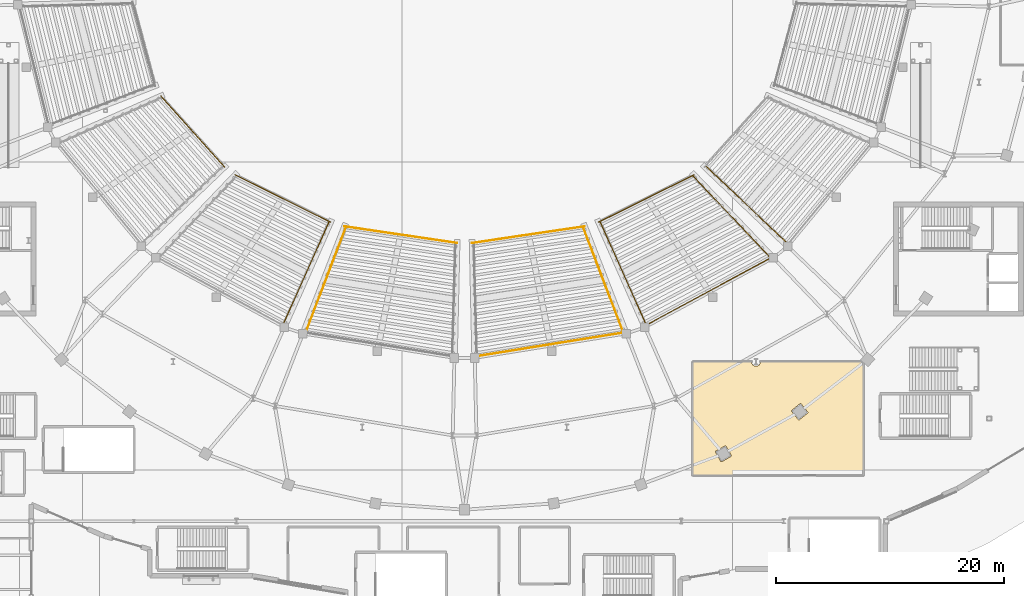
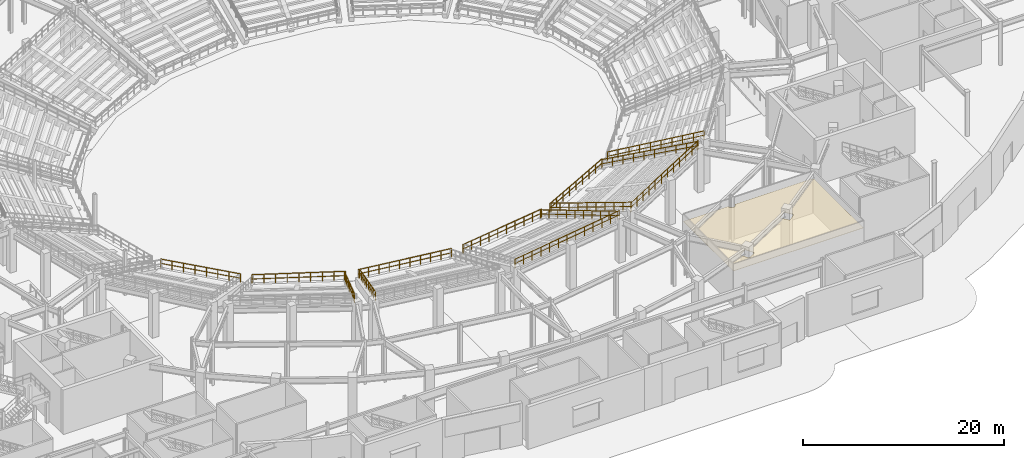
# One storey, part 73 of 79: 13 railings, 1 covering.
"""IFC4 building model written with IfcOpenShell, lengths in metres."""

from ifc_helpers import new_model, si_unit, direction, frame, origin, origin_2d, place, context, subcontext, project, spatial, polyline, circle, outline, extrude, material, layer, layer_set, type_object, element, save


model = new_model("IFC4")

# Units and contexts
model_context = context("Model", 3, precision=1e-05, world=origin(), true_north=direction((0.0, 1.0)))
body_context = subcontext(model_context, "Body", "Model", "MODEL_VIEW")
ifc_project = project(units=[si_unit("LENGTHUNIT", "METRE"), si_unit("AREAUNIT", "SQUARE_METRE"), si_unit("VOLUMEUNIT", "CUBIC_METRE"), si_unit("PLANEANGLEUNIT", "RADIAN"), si_unit("MASSUNIT", "GRAM", prefix="KILO")], contexts=[model_context])

# Site, building, storey
site_placement = place(None, origin())
site = spatial("IfcSite", under=ifc_project, at=site_placement, CompositionType="ELEMENT")
building_placement = place(site_placement, origin())
building = spatial("IfcBuilding", under=site, at=building_placement, Name="Glasvene Arena", CompositionType="ELEMENT")
storey_placement = place(building_placement, origin())
storey = spatial("IfcBuildingStorey", under=building, at=storey_placement, Name="L00", CompositionType="ELEMENT", Elevation=0.0)

# Covering
ifc_material_1 = material(Name="Perforated acoustic mineral ceiling tile")
ifc_layer = layer(ifc_material_1, 0.0400390625)
ifc_layer_set = layer_set([ifc_layer], Name="Perforated acoustic mineral ceiling tile")
covering_type = type_object("IfcCoveringType", Name="COV-CEIL-AC", PredefinedType="CEILING", material=ifc_layer_set)
covering_placement = place(storey_placement, frame((118.16357421875, 40.053466796875, 4.179931640625)))
element("IfcCovering", 1, at=covering_placement, inside=storey, type_object=covering_type, Name="Acoustic suspended ceiling Match Officials Desk and Briefing", PredefinedType="CEILING", context=body_context, shape_type="SweptSolid", body=[
    extrude(outline(polyline([(-1.0068359375, 0.926513671875), (-0.9814453125, 0.796875), (-0.97705078125, 0.78173828125), (-0.969482421875, 0.76806640625), (-0.900146484375, 0.664306640625), (-0.89013671875, 0.652099609375), (-0.878173828125, 0.64208984375), (-0.774169921875, 0.57275390625), (-0.760498046875, 0.5654296875), (-0.745361328125, 0.560791015625), (-0.623046875, 0.536376953125), (-0.607421875, 0.534912109375), (-0.591796875, 0.536376953125), (-0.46923828125, 0.560791015625), (-0.454345703125, 0.5654296875), (-0.4404296875, 0.57275390625), (-0.336669921875, 0.64208984375), (-0.324462890625, 0.652099609375), (-0.314453125, 0.664306640625), (-0.2451171875, 0.76806640625), (-0.23779296875, 0.78173828125), (-0.233154296875, 0.796875), (-0.208984375, 0.91943359375), (8.621826171875, 0.926513671875), (8.81640625, 0.75146484375), (8.81640625, -9.033447265625), (-6.1435546875, -9.033447265625), (-6.1435546875, 0.926513671875), (-1.0068359375, 0.926513671875)]), holes=[polyline([(-4.1572265625, -6.972900390625), (-4.15673828125, -6.98876953125), (-4.1533203125, -7.00390625), (-4.14697265625, -7.018310546875), (-3.70361328125, -7.801513671875), (-3.694580078125, -7.814453125), (-3.68310546875, -7.8251953125), (-3.669921875, -7.83349609375), (-3.6552734375, -7.839111328125), (-3.639892578125, -7.841796875), (-3.624267578125, -7.841552734375), (-3.60888671875, -7.838134765625), (-3.594482421875, -7.831787109375), (-2.811279296875, -7.38818359375), (-2.798583984375, -7.379150390625), (-2.78759765625, -7.367919921875), (-2.779296875, -7.3544921875), (-2.773681640625, -7.340087890625), (-2.77099609375, -7.324462890625), (-2.771484375, -7.308837890625), (-2.774658203125, -7.29345703125), (-2.78125, -7.279052734375), (-3.224609375, -6.49609375), (-3.233642578125, -6.483154296875), (-3.244873046875, -6.472412109375), (-3.25830078125, -6.4638671875), (-3.27294921875, -6.458251953125), (-3.288330078125, -6.45556640625), (-3.303955078125, -6.4560546875), (-3.3193359375, -6.45947265625), (-3.333740234375, -6.4658203125), (-4.11669921875, -6.9091796875), (-4.129638671875, -6.91845703125), (-4.140380859375, -6.9296875), (-4.14892578125, -6.94287109375), (-4.154541015625, -6.95751953125), (-4.1572265625, -6.972900390625)]), polyline([(2.51318359375, -3.39892578125), (2.51611328125, -3.414306640625), (2.52197265625, -3.428955078125), (2.530517578125, -3.44189453125), (3.095947265625, -4.142333984375), (3.10693359375, -4.153564453125), (3.119873046875, -4.162353515625), (3.13427734375, -4.16845703125), (3.149658203125, -4.171630859375), (3.16552734375, -4.171875), (3.180908203125, -4.168701171875), (3.1953125, -4.1630859375), (3.20849609375, -4.154296875), (3.908935546875, -3.589111328125), (3.919921875, -3.578125), (3.9287109375, -3.565185546875), (3.934814453125, -3.55078125), (3.938232421875, -3.53515625), (3.938232421875, -3.51953125), (3.935302734375, -3.504150390625), (3.929443359375, -3.48974609375), (3.9208984375, -3.4765625), (3.35546875, -2.776123046875), (3.344482421875, -2.76513671875), (3.33154296875, -2.75634765625), (3.317138671875, -2.75), (3.3017578125, -2.746826171875), (3.2861328125, -2.746826171875), (3.2705078125, -2.749755859375), (3.256103515625, -2.755615234375), (3.242919921875, -2.76416015625), (2.542724609375, -3.329345703125), (2.531494140625, -3.340576171875), (2.522705078125, -3.353515625), (2.5166015625, -3.367919921875), (2.513427734375, -3.38330078125), (2.51318359375, -3.39892578125)])]), origin(), (0.0, 0.0, 1.0), 0.0400390625),
])

# Railings
ifc_material_2 = material(Name="Brushed stainless steel", Category="steel")
railing_type = type_object("IfcRailingType", Name="RL-GUARD-1100", PredefinedType="GUARDRAIL", material=ifc_material_2)
railing_1_placement = place(storey_placement, frame((65.3564453125, 64.275390625, 0.760009765625)))
element("IfcRailing", 2, at=railing_1_placement, inside=storey, type_object=railing_type, Name="Safety guardrail GD-TL-LF-10-001", PredefinedType="GUARDRAIL", context=body_context, shape_type="SweptSolid", body=[
    extrude(circle(Radius=0.02392578125, at=origin_2d()), frame((0.0, 0.0, 1.076171875), z_axis=(0.668942136824, -0.743314480944, 0.0), x_axis=(0.743314480944, 0.668942136824, 0.0)), (0.0, 0.0, 1.0), 8.357666015625),
    extrude(circle(Radius=0.01611328125, at=origin_2d()), frame((0.0, 0.0, 0.550048828125), z_axis=(0.668942136824, -0.743314480944, 0.0), x_axis=(0.743314480944, 0.668942136824, 0.0)), (0.0, 0.0, 1.0), 8.357666015625),
    extrude(circle(Radius=0.02099609375, at=origin_2d()), origin(), (0.0, 0.0, 1.0), 1.052001953125),
    extrude(circle(Radius=0.02099609375, at=origin_2d()), frame((0.798583984375, -0.887451171875, 0.0)), (0.0, 0.0, 1.0), 1.052001953125),
    extrude(circle(Radius=0.02099609375, at=origin_2d()), frame((1.597412109375, -1.77490234375, 0.0)), (0.0, 0.0, 1.0), 1.052001953125),
    extrude(circle(Radius=0.02099609375, at=origin_2d()), frame((2.39599609375, -2.662353515625, 0.0)), (0.0, 0.0, 1.0), 1.052001953125),
    extrude(circle(Radius=0.02099609375, at=origin_2d()), frame((3.19482421875, -3.550048828125, 0.0)), (0.0, 0.0, 1.0), 1.052001953125),
    extrude(circle(Radius=0.02099609375, at=origin_2d()), frame((3.993408203125, -4.4375, 0.0)), (0.0, 0.0, 1.0), 1.052001953125),
    extrude(circle(Radius=0.02099609375, at=origin_2d()), frame((4.792236328125, -5.324951171875, 0.0)), (0.0, 0.0, 1.0), 1.052001953125),
    extrude(circle(Radius=0.02099609375, at=origin_2d()), frame((5.5908203125, -6.21240234375, 0.0)), (0.0, 0.0, 1.0), 1.052001953125),
])
railing_2_placement = place(storey_placement, frame((71.881591796875, 57.369384765625, 0.760009765625)))
element("IfcRailing", 3, at=railing_2_placement, inside=storey, type_object=railing_type, Name="Safety guardrail GD-TL-LF-11-001", PredefinedType="GUARDRAIL", context=body_context, shape_type="SweptSolid", body=[
    extrude(circle(Radius=0.02392578125, at=origin_2d()), frame((0.0, 0.0, 1.076171875), z_axis=(0.895823833507, -0.444409337572, 0.0), x_axis=(0.444409337572, 0.895823833507, 0.0)), (0.0, 0.0, 1.0), 9.34033203125),
    extrude(circle(Radius=0.01611328125, at=origin_2d()), frame((0.0, 0.0, 0.550048828125), z_axis=(0.895823833507, -0.444409337572, 0.0), x_axis=(0.444409337572, 0.895823833507, 0.0)), (0.0, 0.0, 1.0), 9.34033203125),
    extrude(circle(Radius=0.02099609375, at=origin_2d()), origin(), (0.0, 0.0, 1.0), 1.052001953125),
    extrude(circle(Radius=0.02099609375, at=origin_2d()), frame((1.0458984375, -0.518798828125, 0.0)), (0.0, 0.0, 1.0), 1.052001953125),
    extrude(circle(Radius=0.02099609375, at=origin_2d()), frame((2.091796875, -1.03759765625, 0.0)), (0.0, 0.0, 1.0), 1.052001953125),
    extrude(circle(Radius=0.02099609375, at=origin_2d()), frame((3.1376953125, -1.556640625, 0.0)), (0.0, 0.0, 1.0), 1.052001953125),
    extrude(circle(Radius=0.02099609375, at=origin_2d()), frame((4.18359375, -2.075439453125, 0.0)), (0.0, 0.0, 1.0), 1.052001953125),
    extrude(circle(Radius=0.02099609375, at=origin_2d()), frame((5.2294921875, -2.59423828125, 0.0)), (0.0, 0.0, 1.0), 1.052001953125),
    extrude(circle(Radius=0.02099609375, at=origin_2d()), frame((6.275390625, -3.11328125, 0.0)), (0.0, 0.0, 1.0), 1.052001953125),
    extrude(circle(Radius=0.02099609375, at=origin_2d()), frame((7.3212890625, -3.632080078125, 0.0)), (0.0, 0.0, 1.0), 1.052001953125),
    extrude(circle(Radius=0.02099609375, at=origin_2d()), frame((8.3671875, -4.15087890625, 0.0)), (0.0, 0.0, 1.0), 1.052001953125),
])
railing_3_placement = place(storey_placement, frame((80.103515625, 53.235107421875, 0.760009765625)))
element("IfcRailing", 4, at=railing_3_placement, inside=storey, type_object=railing_type, Name="Lower tier radial aisle guard 11-2", PredefinedType="GUARDRAIL", context=body_context, shape_type="SweptSolid", body=[
    extrude(circle(Radius=0.02392578125, at=origin_2d()), frame((0.0, 0.0, 1.076171875), z_axis=(-0.375989614455, -0.841035379282, 0.388961824114), x_axis=(0.912924660078, -0.408128123292, 0.0)), (0.0, 0.0, 1.0), 10.746337890625),
    extrude(circle(Radius=0.01611328125, at=origin_2d()), frame((0.0, 0.0, 0.550048828125), z_axis=(-0.375989614455, -0.841035379282, 0.388961824114), x_axis=(0.912924660078, -0.408128123292, 0.0)), (0.0, 0.0, 1.0), 10.746337890625),
    extrude(circle(Radius=0.02099609375, at=origin_2d()), origin(), (0.0, 0.0, 1.0), 1.052001953125),
    extrude(circle(Radius=0.02099609375, at=origin_2d()), frame((-0.448974609375, -1.004150390625, 0.46435546875)), (0.0, 0.0, 1.0), 1.052001953125),
    extrude(circle(Radius=0.02099609375, at=origin_2d()), frame((-0.89794921875, -2.008544921875, 0.928955078125)), (0.0, 0.0, 1.0), 1.052001953125),
    extrude(circle(Radius=0.02099609375, at=origin_2d()), frame((-1.346923828125, -3.0126953125, 1.393310546875)), (0.0, 0.0, 1.0), 1.052001953125),
    extrude(circle(Radius=0.02099609375, at=origin_2d()), frame((-1.7958984375, -4.016845703125, 1.857666015625)), (0.0, 0.0, 1.0), 1.052001953125),
    extrude(circle(Radius=0.02099609375, at=origin_2d()), frame((-2.24462890625, -5.021240234375, 2.322265625)), (0.0, 0.0, 1.0), 1.052001953125),
    extrude(circle(Radius=0.02099609375, at=origin_2d()), frame((-2.693603515625, -6.025390625, 2.78662109375)), (0.0, 0.0, 1.0), 1.052001953125),
    extrude(circle(Radius=0.02099609375, at=origin_2d()), frame((-3.142578125, -7.029541015625, 3.2509765625)), (0.0, 0.0, 1.0), 1.052001953125),
    extrude(circle(Radius=0.02099609375, at=origin_2d()), frame((-3.591552734375, -8.033935546875, 3.715576171875)), (0.0, 0.0, 1.0), 1.052001953125),
    extrude(circle(Radius=0.02099609375, at=origin_2d()), frame((-4.04052734375, -9.0380859375, 4.179931640625)), (0.0, 0.0, 1.0), 1.052001953125),
])
railing_4_placement = place(storey_placement, frame((81.469482421875, 52.84326171875, 0.760009765625)))
element("IfcRailing", 5, at=railing_4_placement, inside=storey, type_object=railing_type, Name="Safety guardrail GD-TL-LF-12-001", PredefinedType="GUARDRAIL", context=body_context, shape_type="SweptSolid", body=[
    extrude(circle(Radius=0.02392578125, at=origin_2d()), frame((0.0, 0.0, 1.076171875), z_axis=(0.989267876597, -0.146113203828, 0.0), x_axis=(0.146113203828, 0.989267876597, 0.0)), (0.0, 0.0, 1.0), 9.97705078125),
    extrude(circle(Radius=0.01611328125, at=origin_2d()), frame((0.0, 0.0, 0.550048828125), z_axis=(0.989267876597, -0.146113203828, 0.0), x_axis=(0.146113203828, 0.989267876597, 0.0)), (0.0, 0.0, 1.0), 9.97705078125),
    extrude(circle(Radius=0.02099609375, at=origin_2d()), origin(), (0.0, 0.0, 1.0), 1.052001953125),
    extrude(circle(Radius=0.02099609375, at=origin_2d()), frame((1.0966796875, -0.161865234375, 0.0)), (0.0, 0.0, 1.0), 1.052001953125),
    extrude(circle(Radius=0.02099609375, at=origin_2d()), frame((2.193359375, -0.323974609375, 0.0)), (0.0, 0.0, 1.0), 1.052001953125),
    extrude(circle(Radius=0.02099609375, at=origin_2d()), frame((3.2900390625, -0.48583984375, 0.0)), (0.0, 0.0, 1.0), 1.052001953125),
    extrude(circle(Radius=0.02099609375, at=origin_2d()), frame((4.38671875, -0.64794921875, 0.0)), (0.0, 0.0, 1.0), 1.052001953125),
    extrude(circle(Radius=0.02099609375, at=origin_2d()), frame((5.483154296875, -0.809814453125, 0.0)), (0.0, 0.0, 1.0), 1.052001953125),
    extrude(circle(Radius=0.02099609375, at=origin_2d()), frame((6.579833984375, -0.971923828125, 0.0)), (0.0, 0.0, 1.0), 1.052001953125),
    extrude(circle(Radius=0.02099609375, at=origin_2d()), frame((7.676513671875, -1.1337890625, 0.0)), (0.0, 0.0, 1.0), 1.052001953125),
    extrude(circle(Radius=0.02099609375, at=origin_2d()), frame((8.773193359375, -1.2958984375, 0.0)), (0.0, 0.0, 1.0), 1.052001953125),
    extrude(circle(Radius=0.02099609375, at=origin_2d()), frame((9.869873046875, -1.457763671875, 0.0)), (0.0, 0.0, 1.0), 1.052001953125),
])
railing_5_placement = place(storey_placement, frame((81.5947265625, 52.7763671875, 0.760009765625)))
element("IfcRailing", 6, at=railing_5_placement, inside=storey, type_object=railing_type, Name="Lower tier radial aisle guard 12-1", PredefinedType="GUARDRAIL", context=body_context, shape_type="SweptSolid", body=[
    extrude(circle(Radius=0.02392578125, at=origin_2d()), frame((0.0, 0.0, 1.076171875), z_axis=(-0.328852201287, -0.860559069606, 0.388965702123), x_axis=(0.934118839399, -0.3569621743, 0.0)), (0.0, 0.0, 1.0), 10.746337890625),
    extrude(circle(Radius=0.01611328125, at=origin_2d()), frame((0.0, 0.0, 0.550048828125), z_axis=(-0.328852201287, -0.860559069606, 0.388965702123), x_axis=(0.934118839399, -0.3569621743, 0.0)), (0.0, 0.0, 1.0), 10.746337890625),
    extrude(circle(Radius=0.02099609375, at=origin_2d()), origin(), (0.0, 0.0, 1.0), 1.052001953125),
    extrude(circle(Radius=0.02099609375, at=origin_2d()), frame((-0.392578125, -1.027587890625, 0.46435546875)), (0.0, 0.0, 1.0), 1.052001953125),
    extrude(circle(Radius=0.02099609375, at=origin_2d()), frame((-0.785400390625, -2.05517578125, 0.928955078125)), (0.0, 0.0, 1.0), 1.052001953125),
    extrude(circle(Radius=0.02099609375, at=origin_2d()), frame((-1.177978515625, -3.08251953125, 1.393310546875)), (0.0, 0.0, 1.0), 1.052001953125),
    extrude(circle(Radius=0.02099609375, at=origin_2d()), frame((-1.570556640625, -4.110107421875, 1.857666015625)), (0.0, 0.0, 1.0), 1.052001953125),
    extrude(circle(Radius=0.02099609375, at=origin_2d()), frame((-1.96337890625, -5.1376953125, 2.322265625)), (0.0, 0.0, 1.0), 1.052001953125),
    extrude(circle(Radius=0.02099609375, at=origin_2d()), frame((-2.35595703125, -6.165283203125, 2.78662109375)), (0.0, 0.0, 1.0), 1.052001953125),
    extrude(circle(Radius=0.02099609375, at=origin_2d()), frame((-2.74853515625, -7.192626953125, 3.2509765625)), (0.0, 0.0, 1.0), 1.052001953125),
    extrude(circle(Radius=0.02099609375, at=origin_2d()), frame((-3.141357421875, -8.22021484375, 3.715576171875)), (0.0, 0.0, 1.0), 1.052001953125),
    extrude(circle(Radius=0.02099609375, at=origin_2d()), frame((-3.533935546875, -9.247802734375, 4.179931640625)), (0.0, 0.0, 1.0), 1.052001953125),
])
railing_6_placement = place(storey_placement, frame((92.66064453125, 51.385498046875, 0.760009765625)))
element("IfcRailing", 7, at=railing_6_placement, inside=storey, type_object=railing_type, Name="Safety guardrail GD-TL-LF-13-001", PredefinedType="GUARDRAIL", context=body_context, shape_type="SweptSolid", body=[
    extrude(circle(Radius=0.02392578125, at=origin_2d()), frame((0.0, 0.0, 1.076171875), z_axis=(0.989267876597, 0.146113203828, 0.0), x_axis=(-0.146113203828, 0.989267876597, 0.0)), (0.0, 0.0, 1.0), 9.97705078125),
    extrude(circle(Radius=0.01611328125, at=origin_2d()), frame((0.0, 0.0, 0.550048828125), z_axis=(0.989267876597, 0.146113203828, 0.0), x_axis=(-0.146113203828, 0.989267876597, 0.0)), (0.0, 0.0, 1.0), 9.97705078125),
    extrude(circle(Radius=0.02099609375, at=origin_2d()), origin(), (0.0, 0.0, 1.0), 1.052001953125),
    extrude(circle(Radius=0.02099609375, at=origin_2d()), frame((1.0966796875, 0.161865234375, 0.0)), (0.0, 0.0, 1.0), 1.052001953125),
    extrude(circle(Radius=0.02099609375, at=origin_2d()), frame((2.193359375, 0.323974609375, 0.0)), (0.0, 0.0, 1.0), 1.052001953125),
    extrude(circle(Radius=0.02099609375, at=origin_2d()), frame((3.2900390625, 0.48583984375, 0.0)), (0.0, 0.0, 1.0), 1.052001953125),
    extrude(circle(Radius=0.02099609375, at=origin_2d()), frame((4.38671875, 0.64794921875, 0.0)), (0.0, 0.0, 1.0), 1.052001953125),
    extrude(circle(Radius=0.02099609375, at=origin_2d()), frame((5.483154296875, 0.809814453125, 0.0)), (0.0, 0.0, 1.0), 1.052001953125),
    extrude(circle(Radius=0.02099609375, at=origin_2d()), frame((6.579833984375, 0.971923828125, 0.0)), (0.0, 0.0, 1.0), 1.052001953125),
    extrude(circle(Radius=0.02099609375, at=origin_2d()), frame((7.676513671875, 1.1337890625, 0.0)), (0.0, 0.0, 1.0), 1.052001953125),
    extrude(circle(Radius=0.02099609375, at=origin_2d()), frame((8.773193359375, 1.2958984375, 0.0)), (0.0, 0.0, 1.0), 1.052001953125),
    extrude(circle(Radius=0.02099609375, at=origin_2d()), frame((9.869873046875, 1.457763671875, 0.0)), (0.0, 0.0, 1.0), 1.052001953125),
])
railing_7_placement = place(storey_placement, frame((92.88671875, 41.427978515625, 4.93994140625)))
element("IfcRailing", 8, at=railing_7_placement, inside=storey, type_object=railing_type, Name="Safety guardrail GD-TL-LR-13-001", PredefinedType="GUARDRAIL", context=body_context, shape_type="SweptSolid", body=[
    extrude(circle(Radius=0.02392578125, at=origin_2d()), frame((0.0, 0.0, 1.076171875), z_axis=(0.987325788785, 0.158706606038, 0.0), x_axis=(-0.158706606038, 0.987325788785, 0.0)), (0.0, 0.0, 1.0), 13.41552734375),
    extrude(circle(Radius=0.01611328125, at=origin_2d()), frame((0.0, 0.0, 0.550048828125), z_axis=(0.987325788785, 0.158706606038, 0.0), x_axis=(-0.158706606038, 0.987325788785, 0.0)), (0.0, 0.0, 1.0), 13.41552734375),
    extrude(circle(Radius=0.02099609375, at=origin_2d()), origin(), (0.0, 0.0, 1.0), 1.052001953125),
    extrude(circle(Radius=0.02099609375, at=origin_2d()), frame((1.103759765625, 0.177490234375, 0.0)), (0.0, 0.0, 1.0), 1.052001953125),
    extrude(circle(Radius=0.02099609375, at=origin_2d()), frame((2.20751953125, 0.35498046875, 0.0)), (0.0, 0.0, 1.0), 1.052001953125),
    extrude(circle(Radius=0.02099609375, at=origin_2d()), frame((3.3115234375, 0.5322265625, 0.0)), (0.0, 0.0, 1.0), 1.052001953125),
    extrude(circle(Radius=0.02099609375, at=origin_2d()), frame((4.415283203125, 0.709716796875, 0.0)), (0.0, 0.0, 1.0), 1.052001953125),
    extrude(circle(Radius=0.02099609375, at=origin_2d()), frame((5.51904296875, 0.88720703125, 0.0)), (0.0, 0.0, 1.0), 1.052001953125),
    extrude(circle(Radius=0.02099609375, at=origin_2d()), frame((6.622802734375, 1.064453125, 0.0)), (0.0, 0.0, 1.0), 1.052001953125),
    extrude(circle(Radius=0.02099609375, at=origin_2d()), frame((7.7265625, 1.241943359375, 0.0)), (0.0, 0.0, 1.0), 1.052001953125),
    extrude(circle(Radius=0.02099609375, at=origin_2d()), frame((8.830322265625, 1.41943359375, 0.0)), (0.0, 0.0, 1.0), 1.052001953125),
    extrude(circle(Radius=0.02099609375, at=origin_2d()), frame((9.93408203125, 1.596923828125, 0.0)), (0.0, 0.0, 1.0), 1.052001953125),
    extrude(circle(Radius=0.02099609375, at=origin_2d()), frame((11.0380859375, 1.7744140625, 0.0)), (0.0, 0.0, 1.0), 1.052001953125),
    extrude(circle(Radius=0.02099609375, at=origin_2d()), frame((12.141845703125, 1.95166015625, 0.0)), (0.0, 0.0, 1.0), 1.052001953125),
    extrude(circle(Radius=0.02099609375, at=origin_2d()), frame((13.24560546875, 2.129150390625, 0.0)), (0.0, 0.0, 1.0), 1.052001953125),
])
railing_8_placement = place(storey_placement, frame((102.4052734375, 52.7763671875, 0.760009765625)))
element("IfcRailing", 9, at=railing_8_placement, inside=storey, type_object=railing_type, Name="Lower tier radial aisle guard 13-2", PredefinedType="GUARDRAIL", context=body_context, shape_type="SweptSolid", body=[
    extrude(circle(Radius=0.02392578125, at=origin_2d()), frame((0.0, 0.0, 1.076171875), z_axis=(0.328852201287, -0.860559069606, 0.388965702123), x_axis=(0.934118839399, 0.3569621743, 0.0)), (0.0, 0.0, 1.0), 10.746337890625),
    extrude(circle(Radius=0.01611328125, at=origin_2d()), frame((0.0, 0.0, 0.550048828125), z_axis=(0.328852201287, -0.860559069606, 0.388965702123), x_axis=(0.934118839399, 0.3569621743, 0.0)), (0.0, 0.0, 1.0), 10.746337890625),
    extrude(circle(Radius=0.02099609375, at=origin_2d()), origin(), (0.0, 0.0, 1.0), 1.052001953125),
    extrude(circle(Radius=0.02099609375, at=origin_2d()), frame((0.392578125, -1.027587890625, 0.46435546875)), (0.0, 0.0, 1.0), 1.052001953125),
    extrude(circle(Radius=0.02099609375, at=origin_2d()), frame((0.785400390625, -2.05517578125, 0.928955078125)), (0.0, 0.0, 1.0), 1.052001953125),
    extrude(circle(Radius=0.02099609375, at=origin_2d()), frame((1.177978515625, -3.08251953125, 1.393310546875)), (0.0, 0.0, 1.0), 1.052001953125),
    extrude(circle(Radius=0.02099609375, at=origin_2d()), frame((1.570556640625, -4.110107421875, 1.857666015625)), (0.0, 0.0, 1.0), 1.052001953125),
    extrude(circle(Radius=0.02099609375, at=origin_2d()), frame((1.96337890625, -5.1376953125, 2.322265625)), (0.0, 0.0, 1.0), 1.052001953125),
    extrude(circle(Radius=0.02099609375, at=origin_2d()), frame((2.35595703125, -6.165283203125, 2.78662109375)), (0.0, 0.0, 1.0), 1.052001953125),
    extrude(circle(Radius=0.02099609375, at=origin_2d()), frame((2.74853515625, -7.192626953125, 3.2509765625)), (0.0, 0.0, 1.0), 1.052001953125),
    extrude(circle(Radius=0.02099609375, at=origin_2d()), frame((3.141357421875, -8.22021484375, 3.715576171875)), (0.0, 0.0, 1.0), 1.052001953125),
    extrude(circle(Radius=0.02099609375, at=origin_2d()), frame((3.533935546875, -9.247802734375, 4.179931640625)), (0.0, 0.0, 1.0), 1.052001953125),
])
railing_9_placement = place(storey_placement, frame((103.751220703125, 53.218505859375, 0.760009765625)))
element("IfcRailing", 10, at=railing_9_placement, inside=storey, type_object=railing_type, Name="Safety guardrail GD-TL-LF-14-001", PredefinedType="GUARDRAIL", context=body_context, shape_type="SweptSolid", body=[
    extrude(circle(Radius=0.02392578125, at=origin_2d()), frame((0.0, 0.0, 1.076171875), z_axis=(0.895823833507, 0.444409337572, 0.0), x_axis=(-0.444409337572, 0.895823833507, 0.0)), (0.0, 0.0, 1.0), 9.34033203125),
    extrude(circle(Radius=0.01611328125, at=origin_2d()), frame((0.0, 0.0, 0.550048828125), z_axis=(0.895823833507, 0.444409337572, 0.0), x_axis=(-0.444409337572, 0.895823833507, 0.0)), (0.0, 0.0, 1.0), 9.34033203125),
    extrude(circle(Radius=0.02099609375, at=origin_2d()), origin(), (0.0, 0.0, 1.0), 1.052001953125),
    extrude(circle(Radius=0.02099609375, at=origin_2d()), frame((1.0458984375, 0.518798828125, 0.0)), (0.0, 0.0, 1.0), 1.052001953125),
    extrude(circle(Radius=0.02099609375, at=origin_2d()), frame((2.091796875, 1.03759765625, 0.0)), (0.0, 0.0, 1.0), 1.052001953125),
    extrude(circle(Radius=0.02099609375, at=origin_2d()), frame((3.1376953125, 1.556640625, 0.0)), (0.0, 0.0, 1.0), 1.052001953125),
    extrude(circle(Radius=0.02099609375, at=origin_2d()), frame((4.18359375, 2.075439453125, 0.0)), (0.0, 0.0, 1.0), 1.052001953125),
    extrude(circle(Radius=0.02099609375, at=origin_2d()), frame((5.2294921875, 2.59423828125, 0.0)), (0.0, 0.0, 1.0), 1.052001953125),
    extrude(circle(Radius=0.02099609375, at=origin_2d()), frame((6.275390625, 3.11328125, 0.0)), (0.0, 0.0, 1.0), 1.052001953125),
    extrude(circle(Radius=0.02099609375, at=origin_2d()), frame((7.3212890625, 3.632080078125, 0.0)), (0.0, 0.0, 1.0), 1.052001953125),
    extrude(circle(Radius=0.02099609375, at=origin_2d()), frame((8.3671875, 4.15087890625, 0.0)), (0.0, 0.0, 1.0), 1.052001953125),
])
railing_10_placement = place(storey_placement, frame((107.7705078125, 44.105712890625, 4.93994140625)))
element("IfcRailing", 11, at=railing_10_placement, inside=storey, type_object=railing_type, Name="Safety guardrail GD-TL-LR-14-001", PredefinedType="GUARDRAIL", context=body_context, shape_type="SweptSolid", body=[
    extrude(circle(Radius=0.02392578125, at=origin_2d()), frame((0.0, 0.0, 1.076171875), z_axis=(0.87993179108, 0.475100034779, 0.0), x_axis=(-0.475100034779, 0.87993179108, 0.0)), (0.0, 0.0, 1.0), 12.761474609375),
    extrude(circle(Radius=0.01611328125, at=origin_2d()), frame((0.0, 0.0, 0.550048828125), z_axis=(0.87993179108, 0.475100034779, 0.0), x_axis=(-0.475100034779, 0.87993179108, 0.0)), (0.0, 0.0, 1.0), 12.761474609375),
    extrude(circle(Radius=0.02099609375, at=origin_2d()), origin(), (0.0, 0.0, 1.0), 1.052001953125),
    extrude(circle(Radius=0.02099609375, at=origin_2d()), frame((1.020751953125, 0.55126953125, 0.0)), (0.0, 0.0, 1.0), 1.052001953125),
    extrude(circle(Radius=0.02099609375, at=origin_2d()), frame((2.041748046875, 1.102294921875, 0.0)), (0.0, 0.0, 1.0), 1.052001953125),
    extrude(circle(Radius=0.02099609375, at=origin_2d()), frame((3.0625, 1.653564453125, 0.0)), (0.0, 0.0, 1.0), 1.052001953125),
    extrude(circle(Radius=0.02099609375, at=origin_2d()), frame((4.083251953125, 2.204833984375, 0.0)), (0.0, 0.0, 1.0), 1.052001953125),
    extrude(circle(Radius=0.02099609375, at=origin_2d()), frame((5.104248046875, 2.755859375, 0.0)), (0.0, 0.0, 1.0), 1.052001953125),
    extrude(circle(Radius=0.02099609375, at=origin_2d()), frame((6.125, 3.30712890625, 0.0)), (0.0, 0.0, 1.0), 1.052001953125),
    extrude(circle(Radius=0.02099609375, at=origin_2d()), frame((7.14599609375, 3.858154296875, 0.0)), (0.0, 0.0, 1.0), 1.052001953125),
    extrude(circle(Radius=0.02099609375, at=origin_2d()), frame((8.166748046875, 4.409423828125, 0.0)), (0.0, 0.0, 1.0), 1.052001953125),
    extrude(circle(Radius=0.02099609375, at=origin_2d()), frame((9.1875, 4.960693359375, 0.0)), (0.0, 0.0, 1.0), 1.052001953125),
    extrude(circle(Radius=0.02099609375, at=origin_2d()), frame((10.20849609375, 5.51171875, 0.0)), (0.0, 0.0, 1.0), 1.052001953125),
    extrude(circle(Radius=0.02099609375, at=origin_2d()), frame((11.229248046875, 6.06298828125, 0.0)), (0.0, 0.0, 1.0), 1.052001953125),
])
railing_11_placement = place(storey_placement, frame((103.896484375, 53.235107421875, 0.760009765625)))
element("IfcRailing", 12, at=railing_11_placement, inside=storey, type_object=railing_type, Name="Lower tier radial aisle guard 14-1", PredefinedType="GUARDRAIL", context=body_context, shape_type="SweptSolid", body=[
    extrude(circle(Radius=0.02392578125, at=origin_2d()), frame((0.0, 0.0, 1.076171875), z_axis=(0.375989614455, -0.841035379282, 0.388961824114), x_axis=(0.912924660078, 0.408128123292, 0.0)), (0.0, 0.0, 1.0), 10.746337890625),
    extrude(circle(Radius=0.01611328125, at=origin_2d()), frame((0.0, 0.0, 0.550048828125), z_axis=(0.375989614455, -0.841035379282, 0.388961824114), x_axis=(0.912924660078, 0.408128123292, 0.0)), (0.0, 0.0, 1.0), 10.746337890625),
    extrude(circle(Radius=0.02099609375, at=origin_2d()), origin(), (0.0, 0.0, 1.0), 1.052001953125),
    extrude(circle(Radius=0.02099609375, at=origin_2d()), frame((0.448974609375, -1.004150390625, 0.46435546875)), (0.0, 0.0, 1.0), 1.052001953125),
    extrude(circle(Radius=0.02099609375, at=origin_2d()), frame((0.89794921875, -2.008544921875, 0.928955078125)), (0.0, 0.0, 1.0), 1.052001953125),
    extrude(circle(Radius=0.02099609375, at=origin_2d()), frame((1.346923828125, -3.0126953125, 1.393310546875)), (0.0, 0.0, 1.0), 1.052001953125),
    extrude(circle(Radius=0.02099609375, at=origin_2d()), frame((1.7958984375, -4.016845703125, 1.857666015625)), (0.0, 0.0, 1.0), 1.052001953125),
    extrude(circle(Radius=0.02099609375, at=origin_2d()), frame((2.24462890625, -5.021240234375, 2.322265625)), (0.0, 0.0, 1.0), 1.052001953125),
    extrude(circle(Radius=0.02099609375, at=origin_2d()), frame((2.693603515625, -6.025390625, 2.78662109375)), (0.0, 0.0, 1.0), 1.052001953125),
    extrude(circle(Radius=0.02099609375, at=origin_2d()), frame((3.142578125, -7.029541015625, 3.2509765625)), (0.0, 0.0, 1.0), 1.052001953125),
    extrude(circle(Radius=0.02099609375, at=origin_2d()), frame((3.591552734375, -8.033935546875, 3.715576171875)), (0.0, 0.0, 1.0), 1.052001953125),
    extrude(circle(Radius=0.02099609375, at=origin_2d()), frame((4.04052734375, -9.0380859375, 4.179931640625)), (0.0, 0.0, 1.0), 1.052001953125),
])
railing_12_placement = place(storey_placement, frame((112.03369140625, 57.273193359375, 0.760009765625)))
element("IfcRailing", 13, at=railing_12_placement, inside=storey, type_object=railing_type, Name="Lower tier radial aisle guard 14-2", PredefinedType="GUARDRAIL", context=body_context, shape_type="SweptSolid", body=[
    extrude(circle(Radius=0.02392578125, at=origin_2d()), frame((0.0, 0.0, 1.076171875), z_axis=(0.633133120907, -0.669210894554, 0.388972016759), x_axis=(0.726416506845, 0.687254726126, 0.0)), (0.0, 0.0, 1.0), 10.74609375),
    extrude(circle(Radius=0.01611328125, at=origin_2d()), frame((0.0, 0.0, 0.550048828125), z_axis=(0.633133120907, -0.669210894554, 0.388972016759), x_axis=(0.726416506845, 0.687254726126, 0.0)), (0.0, 0.0, 1.0), 10.74609375),
    extrude(circle(Radius=0.02099609375, at=origin_2d()), origin(), (0.0, 0.0, 1.0), 1.052001953125),
    extrude(circle(Radius=0.02099609375, at=origin_2d()), frame((0.755859375, -0.799072265625, 0.46435546875)), (0.0, 0.0, 1.0), 1.052001953125),
    extrude(circle(Radius=0.02099609375, at=origin_2d()), frame((1.511962890625, -1.59814453125, 0.928955078125)), (0.0, 0.0, 1.0), 1.052001953125),
    extrude(circle(Radius=0.02099609375, at=origin_2d()), frame((2.267822265625, -2.397216796875, 1.393310546875)), (0.0, 0.0, 1.0), 1.052001953125),
    extrude(circle(Radius=0.02099609375, at=origin_2d()), frame((3.02392578125, -3.1962890625, 1.857666015625)), (0.0, 0.0, 1.0), 1.052001953125),
    extrude(circle(Radius=0.02099609375, at=origin_2d()), frame((3.77978515625, -3.9951171875, 2.322265625)), (0.0, 0.0, 1.0), 1.052001953125),
    extrude(circle(Radius=0.02099609375, at=origin_2d()), frame((4.535888671875, -4.794189453125, 2.78662109375)), (0.0, 0.0, 1.0), 1.052001953125),
    extrude(circle(Radius=0.02099609375, at=origin_2d()), frame((5.291748046875, -5.59326171875, 3.2509765625)), (0.0, 0.0, 1.0), 1.052001953125),
    extrude(circle(Radius=0.02099609375, at=origin_2d()), frame((6.0478515625, -6.392333984375, 3.715576171875)), (0.0, 0.0, 1.0), 1.052001953125),
    extrude(circle(Radius=0.02099609375, at=origin_2d()), frame((6.8037109375, -7.19140625, 4.179931640625)), (0.0, 0.0, 1.0), 1.052001953125),
])
railing_13_placement = place(storey_placement, frame((113.1748046875, 58.120849609375, 0.760009765625)))
element("IfcRailing", 14, at=railing_13_placement, inside=storey, type_object=railing_type, Name="Lower tier radial aisle guard 15-1", PredefinedType="GUARDRAIL", context=body_context, shape_type="SweptSolid", body=[
    extrude(circle(Radius=0.02392578125, at=origin_2d()), frame((0.0, 0.0, 1.076171875), z_axis=(0.669213812834, -0.633137106626, 0.388960508183), x_axis=(0.687255427654, 0.726415843137, 0.0)), (0.0, 0.0, 1.0), 10.746337890625),
    extrude(circle(Radius=0.01611328125, at=origin_2d()), frame((0.0, 0.0, 0.550048828125), z_axis=(0.669213812834, -0.633137106626, 0.388960508183), x_axis=(0.687255427654, 0.726415843137, 0.0)), (0.0, 0.0, 1.0), 10.746337890625),
    extrude(circle(Radius=0.02099609375, at=origin_2d()), origin(), (0.0, 0.0, 1.0), 1.052001953125),
    extrude(circle(Radius=0.02099609375, at=origin_2d()), frame((0.799072265625, -0.756103515625, 0.46435546875)), (0.0, 0.0, 1.0), 1.052001953125),
    extrude(circle(Radius=0.02099609375, at=origin_2d()), frame((1.59814453125, -1.511962890625, 0.928955078125)), (0.0, 0.0, 1.0), 1.052001953125),
    extrude(circle(Radius=0.02099609375, at=origin_2d()), frame((2.397216796875, -2.26806640625, 1.393310546875)), (0.0, 0.0, 1.0), 1.052001953125),
    extrude(circle(Radius=0.02099609375, at=origin_2d()), frame((3.1962890625, -3.02392578125, 1.857666015625)), (0.0, 0.0, 1.0), 1.052001953125),
    extrude(circle(Radius=0.02099609375, at=origin_2d()), frame((3.995361328125, -3.780029296875, 2.322265625)), (0.0, 0.0, 1.0), 1.052001953125),
    extrude(circle(Radius=0.02099609375, at=origin_2d()), frame((4.79443359375, -4.535888671875, 2.78662109375)), (0.0, 0.0, 1.0), 1.052001953125),
    extrude(circle(Radius=0.02099609375, at=origin_2d()), frame((5.593505859375, -5.2919921875, 3.2509765625)), (0.0, 0.0, 1.0), 1.052001953125),
    extrude(circle(Radius=0.02099609375, at=origin_2d()), frame((6.392578125, -6.0478515625, 3.715576171875)), (0.0, 0.0, 1.0), 1.052001953125),
    extrude(circle(Radius=0.02099609375, at=origin_2d()), frame((7.191650390625, -6.803955078125, 4.179931640625)), (0.0, 0.0, 1.0), 1.052001953125),
])

save(model, "model.ifc")
